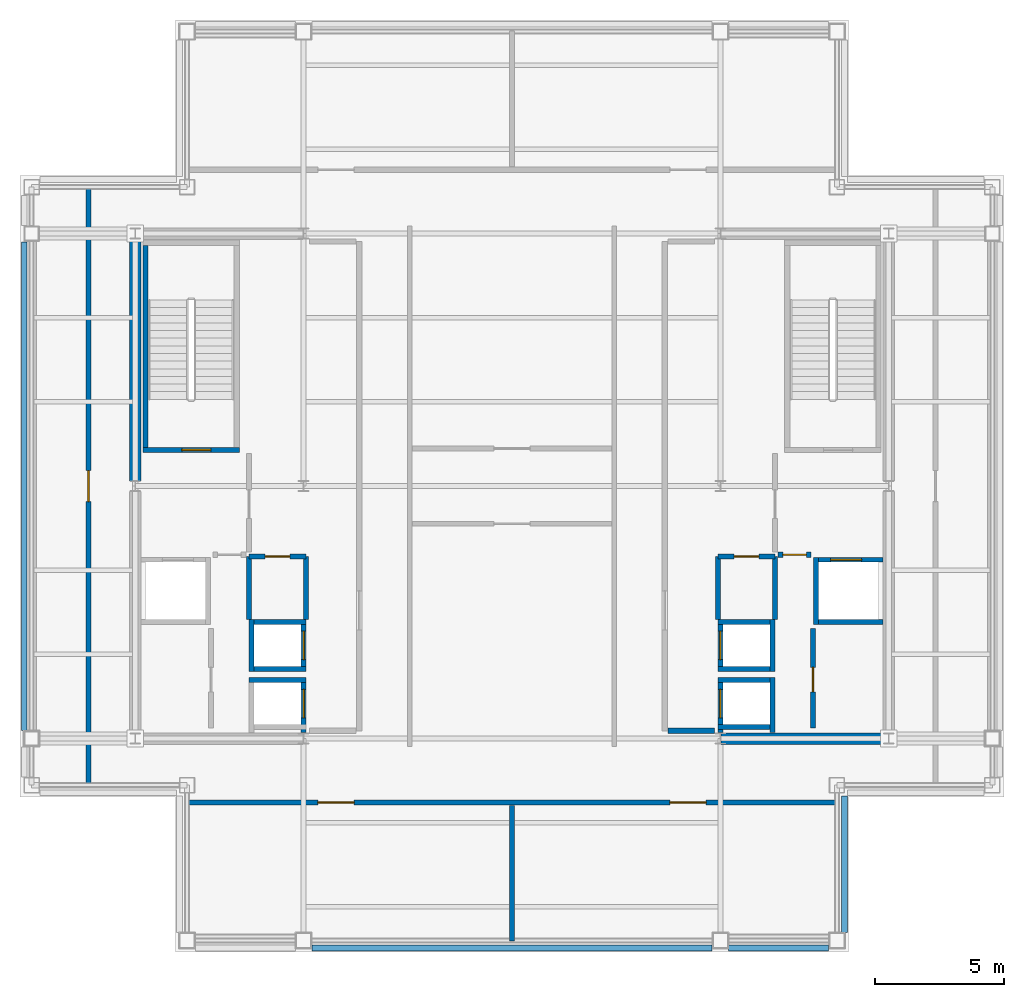
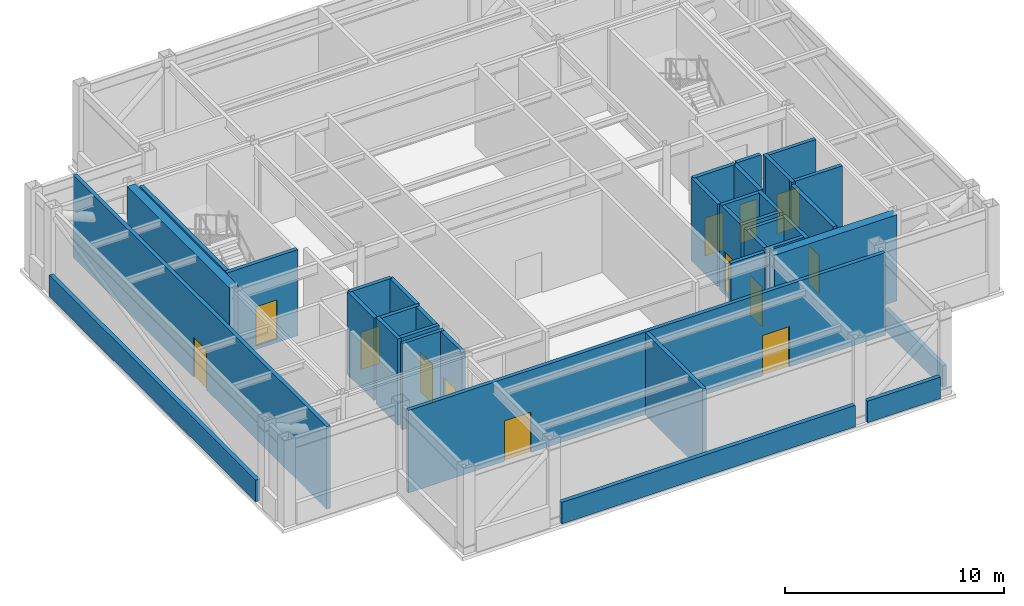
# One storey, part 3 of 6: 37 walls, 13 doors, 13 openings.
"""IFC4 building model written with IfcOpenShell, lengths in metres."""

from ifc_helpers import new_model, si_unit, direction, frame, frame_2d, origin, place, context, subcontext, project, spatial, rectangle, extrude, material, layer, layer_set, type_object, element, fill, save


model = new_model("IFC4")

# Units and contexts
model_context = context("Model", 3, precision=1e-05, world=origin(), true_north=direction((0.0, 1.0)))
body_context = subcontext(model_context, "Body", "Model", "MODEL_VIEW")
ifc_project = project(units=[si_unit("LENGTHUNIT", "METRE"), si_unit("AREAUNIT", "SQUARE_METRE"), si_unit("VOLUMEUNIT", "CUBIC_METRE"), si_unit("PLANEANGLEUNIT", "RADIAN"), si_unit("MASSUNIT", "GRAM", prefix="KILO")], contexts=[model_context])

# Site, building, storey
site_placement = place(None, origin())
site = spatial("IfcSite", under=ifc_project, at=site_placement, CompositionType="ELEMENT")
building_placement = place(site_placement, origin())
building = spatial("IfcBuilding", under=site, at=building_placement, Name="Brelmoor Portico Tower", CompositionType="ELEMENT")
storey_placement = place(building_placement, frame((0.0, 0.0, 276.0)))
storey = spatial("IfcBuildingStorey", under=building, at=storey_placement, Name="L73", CompositionType="ELEMENT", Elevation=276.0)

# Walls
ifc_material_1 = material(Name="Concrete C50", Category="concrete")
ifc_layer_1 = layer(ifc_material_1, 0.449951171875)
ifc_layer_set_1 = layer_set([ifc_layer_1], Name="Concrete C50")
wall_type_1 = type_object("IfcWallType", Name="WL-CORE-450", PredefinedType="SHEAR", material=ifc_layer_set_1)
wall_1_placement = place(storey_placement, frame((-14.550048828125, 0.199951171875, -0.199951171875), z_axis=(0.0, 0.0, 1.0), x_axis=(0.0, 1.0, 0.0)))
element("IfcWall", 1, at=wall_1_placement, inside=storey, type_object=wall_type_1, Name="L73 WC Outer North Shear Wall", PredefinedType="SHEAR", context=body_context, shape_type="SweptSolid", body=[
    extrude(rectangle(XDim=9.35009765625, YDim=0.449951171875, at=frame_2d((4.675048828125, 0.0))), origin(), (0.0, 0.0, 1.0), 4.800048828125),
])
wall_2_placement = place(storey_placement, frame((8.070068359375, -9.75, -0.199951171875), z_axis=(0.0, 0.0, 1.0), x_axis=(1.0, 0.0, 0.0)))
element("IfcWall", 2, at=wall_2_placement, inside=storey, type_object=wall_type_1, Name="L73 EC South Shear Wall", PredefinedType="SHEAR", context=body_context, shape_type="SweptSolid", body=[
    extrude(rectangle(XDim=6.4599609375, YDim=0.449951171875, at=frame_2d((3.22998046875, 0.0))), origin(), (0.0, 0.0, 1.0), 4.800048828125),
])
ifc_material_2 = material(Name="Concrete C40 Parapet Upstand", Category="concrete")
ifc_layer_2 = layer(ifc_material_2, 0.219970703125)
ifc_layer_set_2 = layer_set([ifc_layer_2], Name="Concrete C40 Parapet Upstand")
wall_type_2 = type_object("IfcWallType", Name="WL-PARAPET-220", PredefinedType="PARAPET", material=ifc_layer_set_2)
wall_3_placement = place(storey_placement, frame((-7.72998046875, -17.840087890625, 0.0), z_axis=(0.0, 0.0, 1.0), x_axis=(1.0, 0.0, 0.0)))
element("IfcWall", 3, at=wall_3_placement, inside=storey, type_object=wall_type_2, Name="L73 Plant Louvre Perimeter Upstand 02", PredefinedType="PARAPET", context=body_context, shape_type="SweptSolid", body=[
    extrude(rectangle(XDim=15.4599609375, YDim=0.219970703125, at=frame_2d((7.72998046875, 0.0))), origin(), (0.0, 0.0, 1.0), 1.199951171875),
])
wall_4_placement = place(storey_placement, frame((8.3701171875, -17.840087890625, 0.0), z_axis=(0.0, 0.0, 1.0), x_axis=(1.0, 0.0, 0.0)))
element("IfcWall", 4, at=wall_4_placement, inside=storey, type_object=wall_type_2, Name="L73 Plant Louvre Perimeter Upstand 03", PredefinedType="PARAPET", context=body_context, shape_type="SweptSolid", body=[
    extrude(rectangle(XDim=3.85986328125, YDim=0.219970703125, at=frame_2d((1.929931640625, 0.0))), origin(), (0.0, 0.0, 1.0), 1.199951171875),
])
wall_5_placement = place(storey_placement, frame((12.840087890625, -17.22998046875, 0.0), z_axis=(0.0, 0.0, 1.0), x_axis=(0.0, 1.0, 0.0)))
element("IfcWall", 5, at=wall_5_placement, inside=storey, type_object=wall_type_2, Name="L73 Plant Louvre Perimeter Upstand 04", PredefinedType="PARAPET", context=body_context, shape_type="SweptSolid", body=[
    extrude(rectangle(XDim=5.27001953125, YDim=0.219970703125, at=frame_2d((2.635009765625, 0.0))), origin(), (0.0, 0.0, 1.0), 1.199951171875),
])
wall_6_placement = place(storey_placement, frame((-18.840087890625, 9.429931640625, 0.0), z_axis=(0.0, 0.0, 1.0), x_axis=(0.0, -1.0, 0.0)))
element("IfcWall", 6, at=wall_6_placement, inside=storey, type_object=wall_type_2, Name="L73 Plant Louvre Perimeter Upstand 17", PredefinedType="PARAPET", context=body_context, shape_type="SweptSolid", body=[
    extrude(rectangle(XDim=18.85986328125, YDim=0.219970703125, at=frame_2d((9.429931640625, 0.0))), origin(), (0.0, 0.0, 1.0), 1.199951171875),
])

# Wall, opening, door
ifc_material_3 = material(Name="Double-Stud Gypsum Fire Partition", Category="gypsum")
ifc_layer_3 = layer(ifc_material_3, 0.199951171875)
ifc_layer_set_3 = layer_set([ifc_layer_3], Name="Double-Stud Gypsum Fire Partition")
wall_type_3 = type_object("IfcWallType", Name="WL-PART-200", PredefinedType="PARTITIONING", material=ifc_layer_set_3)
wall_7_placement = place(storey_placement, frame((-7.9599609375, -2.719970703125, 0.0), z_axis=(0.0, 0.0, 1.0), x_axis=(-1.0, 0.0, 0.0)))
wall_7 = element("IfcWall", 7, at=wall_7_placement, inside=storey, type_object=wall_type_3, Name="L73 W Electrical Switchgear Closet Wall", PredefinedType="PARTITIONING", context=body_context, shape_type="SweptSolid", body=[
    extrude(rectangle(XDim=2.199951171875, YDim=0.199951171875, at=frame_2d((1.10009765625, 0.0))), origin(), (0.0, 0.0, 1.0), 4.60009765625),
])
opening_1_placement = place(wall_7_placement, frame((0.6201171875, 0.0, 0.0)))
opening_1 = element("IfcOpeningElement", 8, at=opening_1_placement, cuts=wall_7, Name="Opening D-FR4", PredefinedType="OPENING", context=body_context, shape_type="SweptSolid", body=[
    extrude(rectangle(XDim=0.949951171875, YDim=2.10009765625, at=frame_2d((0.47509765625, 1.050048828125))), frame((0.0, 0.10986328125, 0.0), z_axis=(0.0, -1.0, 0.0), x_axis=(1.0, 0.0, 0.0)), (0.0, 0.0, 1.0), 0.219970703125),
])
ifc_material_4 = material(Name="Painted Galvanised Steel Riser Door", Category="steel")
door_type_1 = type_object("IfcDoorType", Name="DR-FIRE-950", OperationType="NOTDEFINED", PredefinedType="DOOR", material=ifc_material_4)
door_1_placement = place(opening_1_placement, origin())
door_1 = element("IfcDoor", 9, at=door_1_placement, inside=storey, type_object=door_type_1, Name="D-2982 L73 W Electrical Switchgear Closet Door", OperationType="SINGLE_SWING_RIGHT", OverallHeight=2.10009765625, OverallWidth=0.949951171875, PredefinedType="DOOR", context=body_context, shape_type="SweptSolid", body=[
    extrude(rectangle(XDim=0.949951171875, YDim=2.10009765625, at=frame_2d((0.47509765625, 1.050048828125))), frame((0.0, 0.02490234375, 0.0), z_axis=(0.0, -1.0, 0.0), x_axis=(1.0, 0.0, 0.0)), (0.0, 0.0, 1.0), 0.050048828125),
])
fill(opening_1, door_1)

# Walls
for number, where, z_axis, x_axis, name in (
    (10, (-7.9599609375, -5.159912109375, 0.0), (0.0, 0.0, 1.0), (0.0, 1.0, 0.0), "L73 W Electrical Switchgear Closet Inner Wall"),
    (11, (-10.159912109375, -5.159912109375, 0.0), (0.0, 0.0, 1.0), (0.0, 1.0, 0.0), "L73 W Electrical Switchgear Closet Outer Wall"),
):
    element("IfcWall", number, at=place(storey_placement, frame(where, z_axis=z_axis, x_axis=x_axis)), inside=storey, type_object=wall_type_3, Name=name, PredefinedType="PARTITIONING", context=body_context, shape_type="SweptSolid", body=[
        extrude(rectangle(XDim=2.43994140625, YDim=0.199951171875, at=frame_2d((1.219970703125, 0.0))), origin(), (0.0, 0.0, 1.0), 4.60009765625),
    ])
wall_8_placement = place(storey_placement, frame((6.02001953125, -9.449951171875, 0.0), z_axis=(0.0, 0.0, 1.0), x_axis=(1.0, 0.0, 0.0)))
element("IfcWall", 12, at=wall_8_placement, inside=storey, type_object=wall_type_3, Name="L73 E Lift Lobby South End Wall", PredefinedType="PARTITIONING", context=body_context, shape_type="SweptSolid", body=[
    extrude(rectangle(XDim=1.800048828125, YDim=0.199951171875, at=frame_2d((0.89990234375, 0.0))), origin(), (0.0, 0.0, 1.0), 4.60009765625),
])

# Wall, opening, door
wall_9_placement = place(storey_placement, frame((10.280029296875, -2.64990234375, 0.0), z_axis=(0.0, 0.0, 1.0), x_axis=(1.0, 0.0, 0.0)))
wall_9 = element("IfcWall", 13, at=wall_9_placement, inside=storey, type_object=wall_type_3, Name="L73 E Firefighting Lobby South Wall", PredefinedType="PARTITIONING", context=body_context, shape_type="SweptSolid", body=[
    extrude(rectangle(XDim=1.27001953125, YDim=0.199951171875, at=frame_2d((0.635009765625, 0.0))), origin(), (0.0, 0.0, 1.0), 4.60009765625),
])
opening_2_placement = place(wall_9_placement, frame((0.18505859375, 0.0, 0.0)))
opening_2 = element("IfcOpeningElement", 14, at=opening_2_placement, cuts=wall_9, Name="Opening D-IN1", PredefinedType="OPENING", context=body_context, shape_type="SweptSolid", body=[
    extrude(rectangle(XDim=0.89990234375, YDim=2.14990234375, at=frame_2d((0.449951171875, 1.074951171875))), frame((0.0, 0.10986328125, 0.0), z_axis=(0.0, -1.0, 0.0), x_axis=(1.0, 0.0, 0.0)), (0.0, 0.0, 1.0), 0.219970703125),
])
ifc_material_5 = material(Name="Lacquered Timber Suite Door", Category="wood")
door_type_2 = type_object("IfcDoorType", Name="DR-INT-900", OperationType="NOTDEFINED", PredefinedType="DOOR", material=ifc_material_5)
door_2_placement = place(opening_2_placement, origin())
door_2 = element("IfcDoor", 15, at=door_2_placement, inside=storey, type_object=door_type_2, Name="D-2979 L73 E Core Service Vestibule Door", OperationType="SINGLE_SWING_LEFT", OverallHeight=2.14990234375, OverallWidth=0.89990234375, PredefinedType="DOOR", context=body_context, shape_type="SweptSolid", body=[
    extrude(rectangle(XDim=0.89990234375, YDim=2.14990234375, at=frame_2d((0.449951171875, 1.074951171875))), frame((0.0, 0.02490234375, 0.0), z_axis=(0.0, -1.0, 0.0), x_axis=(1.0, 0.0, 0.0)), (0.0, 0.0, 1.0), 0.050048828125),
])
fill(opening_2, door_2)

wall_10_placement = place(storey_placement, frame((7.9599609375, -2.719970703125, 0.0), z_axis=(0.0, 0.0, 1.0), x_axis=(1.0, 0.0, 0.0)))
wall_10 = element("IfcWall", 16, at=wall_10_placement, inside=storey, type_object=wall_type_3, Name="L73 E Electrical Switchgear Closet Wall", PredefinedType="PARTITIONING", context=body_context, shape_type="SweptSolid", body=[
    extrude(rectangle(XDim=2.199951171875, YDim=0.199951171875, at=frame_2d((1.10009765625, 0.0))), origin(), (0.0, 0.0, 1.0), 4.60009765625),
])
opening_3_placement = place(wall_10_placement, frame((0.6201171875, 0.0, 0.0)))
opening_3 = element("IfcOpeningElement", 17, at=opening_3_placement, cuts=wall_10, Name="Opening D-FR4", PredefinedType="OPENING", context=body_context, shape_type="SweptSolid", body=[
    extrude(rectangle(XDim=0.949951171875, YDim=2.10009765625, at=frame_2d((0.47509765625, 1.050048828125))), frame((0.0, 0.10986328125, 0.0), z_axis=(0.0, -1.0, 0.0), x_axis=(1.0, 0.0, 0.0)), (0.0, 0.0, 1.0), 0.219970703125),
])
door_3_placement = place(opening_3_placement, origin())
door_3 = element("IfcDoor", 18, at=door_3_placement, inside=storey, type_object=door_type_1, Name="D-2981 L73 E Electrical Switchgear Closet Door", OperationType="SINGLE_SWING_RIGHT", OverallHeight=2.10009765625, OverallWidth=0.949951171875, PredefinedType="DOOR", context=body_context, shape_type="SweptSolid", body=[
    extrude(rectangle(XDim=0.949951171875, YDim=2.10009765625, at=frame_2d((0.47509765625, 1.050048828125))), frame((0.0, 0.02490234375, 0.0), z_axis=(0.0, -1.0, 0.0), x_axis=(1.0, 0.0, 0.0)), (0.0, 0.0, 1.0), 0.050048828125),
])
fill(opening_3, door_3)

# Walls
for number, where, z_axis, x_axis, name in (
    (19, (7.9599609375, -5.159912109375, 0.0), (0.0, 0.0, 1.0), (0.0, 1.0, 0.0), "L73 E Electrical Switchgear Closet Inner Wall"),
    (20, (10.159912109375, -5.159912109375, 0.0), (0.0, 0.0, 1.0), (0.0, 1.0, 0.0), "L73 E Electrical Switchgear Closet Outer Wall"),
):
    element("IfcWall", number, at=place(storey_placement, frame(where, z_axis=z_axis, x_axis=x_axis)), inside=storey, type_object=wall_type_3, Name=name, PredefinedType="PARTITIONING", context=body_context, shape_type="SweptSolid", body=[
        extrude(rectangle(XDim=2.43994140625, YDim=0.199951171875, at=frame_2d((1.219970703125, 0.0))), origin(), (0.0, 0.0, 1.0), 4.60009765625),
    ])

# Wall, opening, door
wall_11_placement = place(storey_placement, frame((11.6201171875, -9.35009765625, 0.0), z_axis=(0.0, 0.0, 1.0), x_axis=(0.0, 1.0, 0.0)))
wall_11 = element("IfcWall", 21, at=wall_11_placement, inside=storey, type_object=wall_type_3, Name="L73 E Mechanical Equipment Closet Wall", PredefinedType="PARTITIONING", context=body_context, shape_type="SweptSolid", body=[
    extrude(rectangle(XDim=3.85009765625, YDim=0.199951171875, at=frame_2d((1.925048828125, 0.0))), origin(), (0.0, 0.0, 1.0), 4.60009765625),
])
opening_4_placement = place(wall_11_placement, frame((1.39990234375, 0.0, 0.0)))
opening_4 = element("IfcOpeningElement", 22, at=opening_4_placement, cuts=wall_11, Name="Opening D-FR4", PredefinedType="OPENING", context=body_context, shape_type="SweptSolid", body=[
    extrude(rectangle(XDim=0.949951171875, YDim=2.10009765625, at=frame_2d((0.47509765625, 1.050048828125))), frame((0.0, 0.10986328125, 0.0), z_axis=(0.0, -1.0, 0.0), x_axis=(1.0, 0.0, 0.0)), (0.0, 0.0, 1.0), 0.219970703125),
])
door_4_placement = place(opening_4_placement, origin())
door_4 = element("IfcDoor", 23, at=door_4_placement, inside=storey, type_object=door_type_1, Name="D-2977 L73 E Mechanical Equipment Closet Door", OperationType="SINGLE_SWING_LEFT", OverallHeight=2.10009765625, OverallWidth=0.949951171875, PredefinedType="DOOR", context=body_context, shape_type="SweptSolid", body=[
    extrude(rectangle(XDim=0.949951171875, YDim=2.10009765625, at=frame_2d((0.47509765625, 1.050048828125))), frame((0.0, 0.02490234375, 0.0), z_axis=(0.0, -1.0, 0.0), x_axis=(1.0, 0.0, 0.0)), (0.0, 0.0, 1.0), 0.050048828125),
])
fill(opening_4, door_4)

wall_12_placement = place(storey_placement, frame((-16.35009765625, -11.570068359375, 0.0), z_axis=(0.0, 0.0, 1.0), x_axis=(0.0, 1.0, 0.0)))
wall_12 = element("IfcWall", 24, at=wall_12_placement, inside=storey, type_object=wall_type_3, Name="L73 Pressurised Refuge Area West Fire Wall", PredefinedType="PARTITIONING", context=body_context, shape_type="SweptSolid", body=[
    extrude(rectangle(XDim=23.14013671875, YDim=0.199951171875, at=frame_2d((11.570068359375, 0.0))), origin(), (0.0, 0.0, 1.0), 4.60009765625),
])
opening_5_placement = place(wall_12_placement, frame((10.969970703125, 0.0, 0.0)))
opening_5 = element("IfcOpeningElement", 25, at=opening_5_placement, cuts=wall_12, Name="Opening D-FR3", PredefinedType="OPENING", context=body_context, shape_type="SweptSolid", body=[
    extrude(rectangle(XDim=1.199951171875, YDim=2.219970703125, at=frame_2d((0.60009765625, 1.10986328125))), frame((0.0, 0.10986328125, 0.0), z_axis=(0.0, -1.0, 0.0), x_axis=(1.0, 0.0, 0.0)), (0.0, 0.0, 1.0), 0.219970703125),
])
ifc_material_6 = material(Name="Painted Galvanised Steel Fire Door", Category="steel")
door_type_3 = type_object("IfcDoorType", Name="DR-FIRE-1200", OperationType="NOTDEFINED", PredefinedType="DOOR", material=ifc_material_6)
door_5_placement = place(opening_5_placement, origin())
door_5 = element("IfcDoor", 26, at=door_5_placement, inside=storey, type_object=door_type_3, Name="D-2994 L73 Pressurised Refuge Area West Door", OperationType="SINGLE_SWING_RIGHT", OverallHeight=2.219970703125, OverallWidth=1.199951171875, PredefinedType="DOOR", context=body_context, shape_type="SweptSolid", body=[
    extrude(rectangle(XDim=1.199951171875, YDim=2.219970703125, at=frame_2d((0.60009765625, 1.10986328125))), frame((0.0, 0.02490234375, 0.0), z_axis=(0.0, -1.0, 0.0), x_axis=(1.0, 0.0, 0.0)), (0.0, 0.0, 1.0), 0.050048828125),
])
fill(opening_5, door_5)

# Wall, openings, doors
wall_13_placement = place(storey_placement, frame((-12.570068359375, -12.219970703125, 0.0), z_axis=(0.0, 0.0, 1.0), x_axis=(1.0, 0.0, 0.0)))
wall_13 = element("IfcWall", 27, at=wall_13_placement, inside=storey, type_object=wall_type_3, Name="L73 South Plant Wall", PredefinedType="PARTITIONING", context=body_context, shape_type="SweptSolid", body=[
    extrude(rectangle(XDim=25.14013671875, YDim=0.199951171875, at=frame_2d((12.570068359375, 0.0))), origin(), (0.0, 0.0, 1.0), 4.60009765625),
])
opening_6_placement = place(wall_13_placement, frame((5.070068359375, 0.0, 0.0)))
opening_6 = element("IfcOpeningElement", 28, at=opening_6_placement, cuts=wall_13, Name="Opening D-PL1", PredefinedType="OPENING", context=body_context, shape_type="SweptSolid", body=[
    extrude(rectangle(XDim=1.39990234375, YDim=2.25, at=frame_2d((0.699951171875, 1.125))), frame((0.0, 0.10986328125, 0.0), z_axis=(0.0, -1.0, 0.0), x_axis=(1.0, 0.0, 0.0)), (0.0, 0.0, 1.0), 0.219970703125),
])
opening_7_placement = place(wall_13_placement, frame((18.669921875, 0.0, 0.0)))
opening_7 = element("IfcOpeningElement", 29, at=opening_7_placement, cuts=wall_13, Name="Opening D-PL1", PredefinedType="OPENING", context=body_context, shape_type="SweptSolid", body=[
    extrude(rectangle(XDim=1.39990234375, YDim=2.25, at=frame_2d((0.699951171875, 1.125))), frame((0.0, 0.10986328125, 0.0), z_axis=(0.0, -1.0, 0.0), x_axis=(1.0, 0.0, 0.0)), (0.0, 0.0, 1.0), 0.219970703125),
])
ifc_material_7 = material(Name="Double-Leaf Acoustic Steel Plant Door", Category="steel")
door_type_4 = type_object("IfcDoorType", Name="DR-PLANT-1400", OperationType="NOTDEFINED", PredefinedType="DOOR", material=ifc_material_7)
door_6_placement = place(opening_6_placement, origin())
door_6 = element("IfcDoor", 30, at=door_6_placement, inside=storey, type_object=door_type_4, Name="D-2992 L73 Smoke Extract Fan Plant Door", OperationType="DOUBLE_DOOR_SINGLE_SWING", OverallHeight=2.25, OverallWidth=1.39990234375, PredefinedType="DOOR", context=body_context, shape_type="SweptSolid", body=[
    extrude(rectangle(XDim=1.39990234375, YDim=2.25, at=frame_2d((0.699951171875, 1.125))), frame((0.0, 0.02490234375, 0.0), z_axis=(0.0, -1.0, 0.0), x_axis=(1.0, 0.0, 0.0)), (0.0, 0.0, 1.0), 0.050048828125),
])
fill(opening_6, door_6)
door_7_placement = place(opening_7_placement, origin())
door_7 = element("IfcDoor", 31, at=door_7_placement, inside=storey, type_object=door_type_4, Name="D-2991 L73 Electrical Substation Door", OperationType="DOUBLE_DOOR_SINGLE_SWING", OverallHeight=2.25, OverallWidth=1.39990234375, PredefinedType="DOOR", context=body_context, shape_type="SweptSolid", body=[
    extrude(rectangle(XDim=1.39990234375, YDim=2.25, at=frame_2d((0.699951171875, 1.125))), frame((0.0, 0.02490234375, 0.0), z_axis=(0.0, -1.0, 0.0), x_axis=(1.0, 0.0, 0.0)), (0.0, 0.0, 1.0), 0.050048828125),
])
fill(opening_7, door_7)

# Wall
wall_14_placement = place(storey_placement, frame((0.0, -17.570068359375, 0.0), z_axis=(0.0, 0.0, 1.0), x_axis=(0.0, 1.0, 0.0)))
element("IfcWall", 32, at=wall_14_placement, inside=storey, type_object=wall_type_3, Name="L73 South Plant Divider", PredefinedType="PARTITIONING", context=body_context, shape_type="SweptSolid", body=[
    extrude(rectangle(XDim=5.22998046875, YDim=0.199951171875, at=frame_2d((2.614990234375, 0.0))), origin(), (0.0, 0.0, 1.0), 4.60009765625),
])

# Wall, opening, door
ifc_material_8 = material(Name="Precast Concrete C40", Category="concrete")
ifc_layer_4 = layer(ifc_material_8, 0.18994140625)
ifc_layer_set_4 = layer_set([ifc_layer_4], Name="Precast Concrete C40")
wall_type_4 = type_object("IfcWallType", Name="WL-SHAFT-180", PredefinedType="SOLIDWALL", material=ifc_layer_set_4)
wall_15_placement = place(storey_placement, frame((-8.044921875, -9.52001953125, -0.199951171875), z_axis=(0.0, 0.0, 1.0), x_axis=(0.0, 1.0, 0.0)))
wall_15 = element("IfcWall", 33, at=wall_15_placement, inside=storey, type_object=wall_type_4, Name="L73 Lift PH1 Hoistway Front Wall", PredefinedType="SOLIDWALL", context=body_context, shape_type="SweptSolid", body=[
    extrude(rectangle(XDim=2.1201171875, YDim=0.18994140625, at=frame_2d((1.06005859375, 0.0))), origin(), (0.0, 0.0, 1.0), 4.800048828125),
])
opening_8_placement = place(wall_15_placement, frame((0.570068359375, 0.0, 0.199951171875)))
opening_8 = element("IfcOpeningElement", 34, at=opening_8_placement, cuts=wall_15, Name="Opening LD-01", PredefinedType="OPENING", context=body_context, shape_type="SweptSolid", body=[
    extrude(rectangle(XDim=1.10009765625, YDim=2.199951171875, at=frame_2d((0.550048828125, 1.10009765625))), frame((0.0, 0.10498046875, 0.0), z_axis=(0.0, -1.0, 0.0), x_axis=(1.0, 0.0, 0.0)), (0.0, 0.0, 1.0), 0.2099609375),
])
ifc_material_9 = material(Name="Brushed Stainless Steel Sliding Lift Door", Category="steel")
door_type_5 = type_object("IfcDoorType", Name="DR-LIFT-1100", OperationType="NOTDEFINED", PredefinedType="DOOR", material=ifc_material_9)
door_8_placement = place(opening_8_placement, origin())
door_8 = element("IfcDoor", 35, at=door_8_placement, inside=storey, type_object=door_type_5, Name="D-2999 L73 Lift PH1 Sliding Landing Door", OperationType="SLIDING_TO_LEFT", OverallHeight=2.199951171875, OverallWidth=1.10009765625, PredefinedType="DOOR", context=body_context, shape_type="SweptSolid", body=[
    extrude(rectangle(XDim=1.10009765625, YDim=2.199951171875, at=frame_2d((0.550048828125, 1.10009765625))), frame((0.0, 0.02490234375, 0.0), z_axis=(0.0, -1.0, 0.0), x_axis=(1.0, 0.0, 0.0)), (0.0, 0.0, 1.0), 0.050048828125),
])
fill(opening_8, door_8)

# Wall
wall_16_placement = place(storey_placement, frame((-10.14990234375, -7.4951171875, -0.199951171875), z_axis=(0.0, 0.0, 1.0), x_axis=(1.0, 0.0, 0.0)))
element("IfcWall", 36, at=wall_16_placement, inside=storey, type_object=wall_type_4, Name="L73 Lift PH1 Hoistway North Wall", PredefinedType="SOLIDWALL", context=body_context, shape_type="SweptSolid", body=[
    extrude(rectangle(XDim=2.199951171875, YDim=0.18994140625, at=frame_2d((1.10009765625, 0.0))), origin(), (0.0, 0.0, 1.0), 4.800048828125),
])

# Wall, opening, door
wall_17_placement = place(storey_placement, frame((-8.044921875, -7.14990234375, -0.199951171875), z_axis=(0.0, 0.0, 1.0), x_axis=(0.0, 1.0, 0.0)))
wall_17 = element("IfcWall", 37, at=wall_17_placement, inside=storey, type_object=wall_type_4, Name="L73 Lift PH2 Hoistway Front Wall", PredefinedType="SOLIDWALL", context=body_context, shape_type="SweptSolid", body=[
    extrude(rectangle(XDim=2.0, YDim=0.18994140625, at=frame_2d((1.0, 0.0))), origin(), (0.0, 0.0, 1.0), 4.800048828125),
])
opening_9_placement = place(wall_17_placement, frame((0.449951171875, 0.0, 0.199951171875)))
opening_9 = element("IfcOpeningElement", 38, at=opening_9_placement, cuts=wall_17, Name="Opening LD-01", PredefinedType="OPENING", context=body_context, shape_type="SweptSolid", body=[
    extrude(rectangle(XDim=1.10009765625, YDim=2.199951171875, at=frame_2d((0.550048828125, 1.10009765625))), frame((0.0, 0.10498046875, 0.0), z_axis=(0.0, -1.0, 0.0), x_axis=(1.0, 0.0, 0.0)), (0.0, 0.0, 1.0), 0.2099609375),
])
door_9_placement = place(opening_9_placement, origin())
door_9 = element("IfcDoor", 39, at=door_9_placement, inside=storey, type_object=door_type_5, Name="D-3000 L73 Lift PH2 Sliding Landing Door", OperationType="SLIDING_TO_LEFT", OverallHeight=2.199951171875, OverallWidth=1.10009765625, PredefinedType="DOOR", context=body_context, shape_type="SweptSolid", body=[
    extrude(rectangle(XDim=1.10009765625, YDim=2.199951171875, at=frame_2d((0.550048828125, 1.10009765625))), frame((0.0, 0.02490234375, 0.0), z_axis=(0.0, -1.0, 0.0), x_axis=(1.0, 0.0, 0.0)), (0.0, 0.0, 1.0), 0.050048828125),
])
fill(opening_9, door_9)

# Walls
wall_18_placement = place(storey_placement, frame((-10.054931640625, -7.14990234375, -0.199951171875), z_axis=(0.0, 0.0, 1.0), x_axis=(0.0, 1.0, 0.0)))
element("IfcWall", 40, at=wall_18_placement, inside=storey, type_object=wall_type_4, Name="L73 Lift PH2 Hoistway Back Wall", PredefinedType="SOLIDWALL", context=body_context, shape_type="SweptSolid", body=[
    extrude(rectangle(XDim=2.0, YDim=0.18994140625, at=frame_2d((1.0, 0.0))), origin(), (0.0, 0.0, 1.0), 4.800048828125),
])
for number, where, z_axis, x_axis, name in (
    (41, (-10.14990234375, -5.2451171875, -0.199951171875), (0.0, 0.0, 1.0), (1.0, 0.0, 0.0), "L73 Lift PH2 Hoistway North Wall"),
    (42, (-10.14990234375, -7.054931640625, -0.199951171875), (0.0, 0.0, 1.0), (1.0, 0.0, 0.0), "L73 Lift PH2 Hoistway South Wall"),
):
    element("IfcWall", number, at=place(storey_placement, frame(where, z_axis=z_axis, x_axis=x_axis)), inside=storey, type_object=wall_type_4, Name=name, PredefinedType="SOLIDWALL", context=body_context, shape_type="SweptSolid", body=[
        extrude(rectangle(XDim=2.199951171875, YDim=0.18994140625, at=frame_2d((1.10009765625, 0.0))), origin(), (0.0, 0.0, 1.0), 4.800048828125),
    ])

# Wall, opening, door
wall_19_placement = place(storey_placement, frame((8.044921875, -9.52001953125, -0.199951171875), z_axis=(0.0, 0.0, 1.0), x_axis=(0.0, 1.0, 0.0)))
wall_19 = element("IfcWall", 43, at=wall_19_placement, inside=storey, type_object=wall_type_4, Name="L73 Lift PH3 Hoistway Front Wall", PredefinedType="SOLIDWALL", context=body_context, shape_type="SweptSolid", body=[
    extrude(rectangle(XDim=2.1201171875, YDim=0.18994140625, at=frame_2d((1.06005859375, 0.0))), origin(), (0.0, 0.0, 1.0), 4.800048828125),
])
opening_10_placement = place(wall_19_placement, frame((0.570068359375, 0.0, 0.199951171875)))
opening_10 = element("IfcOpeningElement", 44, at=opening_10_placement, cuts=wall_19, Name="Opening LD-01", PredefinedType="OPENING", context=body_context, shape_type="SweptSolid", body=[
    extrude(rectangle(XDim=1.10009765625, YDim=2.199951171875, at=frame_2d((0.550048828125, 1.10009765625))), frame((0.0, 0.10498046875, 0.0), z_axis=(0.0, -1.0, 0.0), x_axis=(1.0, 0.0, 0.0)), (0.0, 0.0, 1.0), 0.2099609375),
])
door_10_placement = place(opening_10_placement, origin())
door_10 = element("IfcDoor", 45, at=door_10_placement, inside=storey, type_object=door_type_5, Name="D-3001 L73 Lift PH3 Sliding Landing Door", OperationType="SLIDING_TO_LEFT", OverallHeight=2.199951171875, OverallWidth=1.10009765625, PredefinedType="DOOR", context=body_context, shape_type="SweptSolid", body=[
    extrude(rectangle(XDim=1.10009765625, YDim=2.199951171875, at=frame_2d((0.550048828125, 1.10009765625))), frame((0.0, 0.02490234375, 0.0), z_axis=(0.0, -1.0, 0.0), x_axis=(1.0, 0.0, 0.0)), (0.0, 0.0, 1.0), 0.050048828125),
])
fill(opening_10, door_10)

# Walls
wall_20_placement = place(storey_placement, frame((10.054931640625, -9.52001953125, -0.199951171875), z_axis=(0.0, 0.0, 1.0), x_axis=(0.0, 1.0, 0.0)))
element("IfcWall", 46, at=wall_20_placement, inside=storey, type_object=wall_type_4, Name="L73 Lift PH3 Hoistway Back Wall", PredefinedType="SOLIDWALL", context=body_context, shape_type="SweptSolid", body=[
    extrude(rectangle(XDim=2.1201171875, YDim=0.18994140625, at=frame_2d((1.06005859375, 0.0))), origin(), (0.0, 0.0, 1.0), 4.800048828125),
])
for number, where, z_axis, x_axis, name in (
    (47, (7.949951171875, -7.4951171875, -0.199951171875), (0.0, 0.0, 1.0), (1.0, 0.0, 0.0), "L73 Lift PH3 Hoistway North Wall"),
    (48, (7.949951171875, -9.304931640625, -0.199951171875), (0.0, 0.0, 1.0), (1.0, 0.0, 0.0), "L73 Lift PH3 Hoistway South Wall"),
):
    element("IfcWall", number, at=place(storey_placement, frame(where, z_axis=z_axis, x_axis=x_axis)), inside=storey, type_object=wall_type_4, Name=name, PredefinedType="SOLIDWALL", context=body_context, shape_type="SweptSolid", body=[
        extrude(rectangle(XDim=2.199951171875, YDim=0.18994140625, at=frame_2d((1.10009765625, 0.0))), origin(), (0.0, 0.0, 1.0), 4.800048828125),
    ])

# Wall, opening, door
wall_21_placement = place(storey_placement, frame((8.044921875, -7.14990234375, -0.199951171875), z_axis=(0.0, 0.0, 1.0), x_axis=(0.0, 1.0, 0.0)))
wall_21 = element("IfcWall", 49, at=wall_21_placement, inside=storey, type_object=wall_type_4, Name="L73 Lift PH4 Hoistway Front Wall", PredefinedType="SOLIDWALL", context=body_context, shape_type="SweptSolid", body=[
    extrude(rectangle(XDim=2.0, YDim=0.18994140625, at=frame_2d((1.0, 0.0))), origin(), (0.0, 0.0, 1.0), 4.800048828125),
])
opening_11_placement = place(wall_21_placement, frame((0.449951171875, 0.0, 0.199951171875)))
opening_11 = element("IfcOpeningElement", 50, at=opening_11_placement, cuts=wall_21, Name="Opening LD-01", PredefinedType="OPENING", context=body_context, shape_type="SweptSolid", body=[
    extrude(rectangle(XDim=1.10009765625, YDim=2.199951171875, at=frame_2d((0.550048828125, 1.10009765625))), frame((0.0, 0.10498046875, 0.0), z_axis=(0.0, -1.0, 0.0), x_axis=(1.0, 0.0, 0.0)), (0.0, 0.0, 1.0), 0.2099609375),
])
door_11_placement = place(opening_11_placement, origin())
door_11 = element("IfcDoor", 51, at=door_11_placement, inside=storey, type_object=door_type_5, Name="D-3002 L73 Lift PH4 Sliding Landing Door", OperationType="SLIDING_TO_LEFT", OverallHeight=2.199951171875, OverallWidth=1.10009765625, PredefinedType="DOOR", context=body_context, shape_type="SweptSolid", body=[
    extrude(rectangle(XDim=1.10009765625, YDim=2.199951171875, at=frame_2d((0.550048828125, 1.10009765625))), frame((0.0, 0.02490234375, 0.0), z_axis=(0.0, -1.0, 0.0), x_axis=(1.0, 0.0, 0.0)), (0.0, 0.0, 1.0), 0.050048828125),
])
fill(opening_11, door_11)

# Walls
wall_22_placement = place(storey_placement, frame((10.054931640625, -7.14990234375, -0.199951171875), z_axis=(0.0, 0.0, 1.0), x_axis=(0.0, 1.0, 0.0)))
element("IfcWall", 52, at=wall_22_placement, inside=storey, type_object=wall_type_4, Name="L73 Lift PH4 Hoistway Back Wall", PredefinedType="SOLIDWALL", context=body_context, shape_type="SweptSolid", body=[
    extrude(rectangle(XDim=2.0, YDim=0.18994140625, at=frame_2d((1.0, 0.0))), origin(), (0.0, 0.0, 1.0), 4.800048828125),
])
for number, where, z_axis, x_axis, name in (
    (53, (7.949951171875, -5.2451171875, -0.199951171875), (0.0, 0.0, 1.0), (1.0, 0.0, 0.0), "L73 Lift PH4 Hoistway North Wall"),
    (54, (7.949951171875, -7.054931640625, -0.199951171875), (0.0, 0.0, 1.0), (1.0, 0.0, 0.0), "L73 Lift PH4 Hoistway South Wall"),
):
    element("IfcWall", number, at=place(storey_placement, frame(where, z_axis=z_axis, x_axis=x_axis)), inside=storey, type_object=wall_type_4, Name=name, PredefinedType="SOLIDWALL", context=body_context, shape_type="SweptSolid", body=[
        extrude(rectangle(XDim=2.199951171875, YDim=0.18994140625, at=frame_2d((1.10009765625, 0.0))), origin(), (0.0, 0.0, 1.0), 4.800048828125),
    ])

# Wall, opening, door
wall_23_placement = place(storey_placement, frame((11.64990234375, -2.844970703125, -0.199951171875), z_axis=(0.0, 0.0, 1.0), x_axis=(1.0, 0.0, 0.0)))
wall_23 = element("IfcWall", 55, at=wall_23_placement, inside=storey, type_object=wall_type_4, Name="L73 Lift FF2 Hoistway Front Wall", PredefinedType="SOLIDWALL", context=body_context, shape_type="SweptSolid", body=[
    extrude(rectangle(XDim=2.68017578125, YDim=0.18994140625, at=frame_2d((1.340087890625, 0.0))), origin(), (0.0, 0.0, 1.0), 4.800048828125),
])
opening_12_placement = place(wall_23_placement, frame((0.64990234375, 0.0, 0.199951171875)))
opening_12 = element("IfcOpeningElement", 56, at=opening_12_placement, cuts=wall_23, Name="Opening LD-02", PredefinedType="OPENING", context=body_context, shape_type="SweptSolid", body=[
    extrude(rectangle(XDim=1.199951171875, YDim=2.199951171875, at=frame_2d((0.60009765625, 1.10009765625))), frame((0.0, 0.10498046875, 0.0), z_axis=(0.0, -1.0, 0.0), x_axis=(1.0, 0.0, 0.0)), (0.0, 0.0, 1.0), 0.2099609375),
])
ifc_material_10 = material(Name="Brushed Stainless Steel Firefighting Lift Door", Category="steel")
door_type_6 = type_object("IfcDoorType", Name="DR-LIFT-1200", OperationType="NOTDEFINED", PredefinedType="DOOR", material=ifc_material_10)
door_12_placement = place(opening_12_placement, origin())
door_12 = element("IfcDoor", 57, at=door_12_placement, inside=storey, type_object=door_type_6, Name="D-2998 L73 Lift FF2 Sliding Landing Door", OperationType="SLIDING_TO_LEFT", OverallHeight=2.199951171875, OverallWidth=1.199951171875, PredefinedType="DOOR", context=body_context, shape_type="SweptSolid", body=[
    extrude(rectangle(XDim=1.199951171875, YDim=2.199951171875, at=frame_2d((0.60009765625, 1.10009765625))), frame((0.0, 0.02490234375, 0.0), z_axis=(0.0, -1.0, 0.0), x_axis=(1.0, 0.0, 0.0)), (0.0, 0.0, 1.0), 0.050048828125),
])
fill(opening_12, door_12)

# Walls
wall_24_placement = place(storey_placement, frame((11.64990234375, -5.2548828125, -0.199951171875), z_axis=(0.0, 0.0, 1.0), x_axis=(1.0, 0.0, 0.0)))
element("IfcWall", 58, at=wall_24_placement, inside=storey, type_object=wall_type_4, Name="L73 Firefighting Lift FF2 South Wall", PredefinedType="SOLIDWALL", context=body_context, shape_type="SweptSolid", body=[
    extrude(rectangle(XDim=2.68017578125, YDim=0.18994140625, at=frame_2d((1.340087890625, 0.0))), origin(), (0.0, 0.0, 1.0), 4.800048828125),
])
wall_25_placement = place(storey_placement, frame((11.7451171875, -5.35009765625, -0.199951171875), z_axis=(0.0, 0.0, 1.0), x_axis=(0.0, 1.0, 0.0)))
element("IfcWall", 59, at=wall_25_placement, inside=storey, type_object=wall_type_4, Name="L73 Firefighting Lift FF2 Inner Wall", PredefinedType="SOLIDWALL", context=body_context, shape_type="SweptSolid", body=[
    extrude(rectangle(XDim=2.60009765625, YDim=0.18994140625, at=frame_2d((1.300048828125, 0.0))), origin(), (0.0, 0.0, 1.0), 4.800048828125),
])
ifc_material_11 = material(Name="Concrete C40", Category="concrete")
ifc_layer_5 = layer(ifc_material_11, 0.199951171875)
ifc_layer_set_5 = layer_set([ifc_layer_5], Name="Concrete C40")
wall_type_5 = type_object("IfcWallType", Name="WL-SHAFT-RC200", PredefinedType="SOLIDWALL", material=ifc_layer_set_5)
wall_26_placement = place(storey_placement, frame((-14.14990234375, 1.5, -0.199951171875), z_axis=(0.0, 0.0, 1.0), x_axis=(0.0, 1.0, 0.0)))
element("IfcWall", 60, at=wall_26_placement, inside=storey, type_object=wall_type_5, Name="L73 ST-W Structural Stair Wall Outer", PredefinedType="SOLIDWALL", context=body_context, shape_type="SweptSolid", body=[
    extrude(rectangle(XDim=7.800048828125, YDim=0.199951171875, at=frame_2d((3.89990234375, 0.0))), origin(), (0.0, 0.0, 1.0), 4.800048828125),
])

# Wall, opening, door
wall_27_placement = place(storey_placement, frame((-14.25, 1.39990234375, -0.199951171875), z_axis=(0.0, 0.0, 1.0), x_axis=(1.0, 0.0, 0.0)))
wall_27 = element("IfcWall", 61, at=wall_27_placement, inside=storey, type_object=wall_type_5, Name="L73 ST-W Structural Stair Wall S", PredefinedType="SOLIDWALL", context=body_context, shape_type="SweptSolid", body=[
    extrude(rectangle(XDim=3.719970703125, YDim=0.199951171875, at=frame_2d((1.85986328125, 0.0))), origin(), (0.0, 0.0, 1.0), 4.800048828125),
])
opening_13_placement = place(wall_27_placement, frame((1.5, 0.0, 0.199951171875)))
opening_13 = element("IfcOpeningElement", 62, at=opening_13_placement, cuts=wall_27, Name="Opening D-ST1", PredefinedType="OPENING", context=body_context, shape_type="SweptSolid", body=[
    extrude(rectangle(XDim=1.1201171875, YDim=2.179931640625, at=frame_2d((0.56005859375, 1.08984375))), frame((0.0, 0.10986328125, 0.0), z_axis=(0.0, -1.0, 0.0), x_axis=(1.0, 0.0, 0.0)), (0.0, 0.0, 1.0), 0.219970703125),
])
door_type_7 = type_object("IfcDoorType", Name="DR-STAIR-1100", OperationType="NOTDEFINED", PredefinedType="DOOR", material=ifc_material_6)
door_13_placement = place(opening_13_placement, origin())
door_13 = element("IfcDoor", 63, at=door_13_placement, inside=storey, type_object=door_type_7, Name="D-2996 L73 ST-W Protected Exit Stair Door", OperationType="SINGLE_SWING_LEFT", OverallHeight=2.179931640625, OverallWidth=1.1201171875, PredefinedType="DOOR", context=body_context, shape_type="SweptSolid", body=[
    extrude(rectangle(XDim=1.1201171875, YDim=2.179931640625, at=frame_2d((0.56005859375, 1.08984375))), frame((0.0, 0.02490234375, 0.0), z_axis=(0.0, -1.0, 0.0), x_axis=(1.0, 0.0, 0.0)), (0.0, 0.0, 1.0), 0.050048828125),
])
fill(opening_13, door_13)

save(model, "model.ifc")
